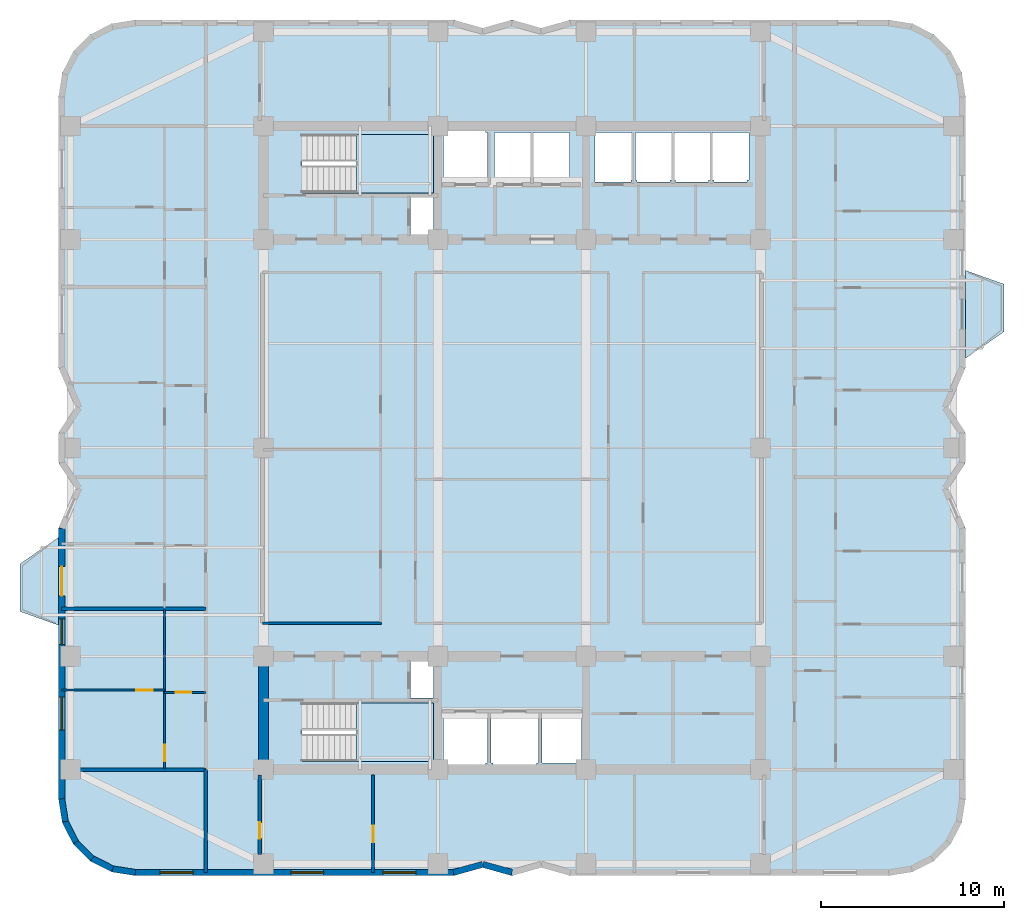
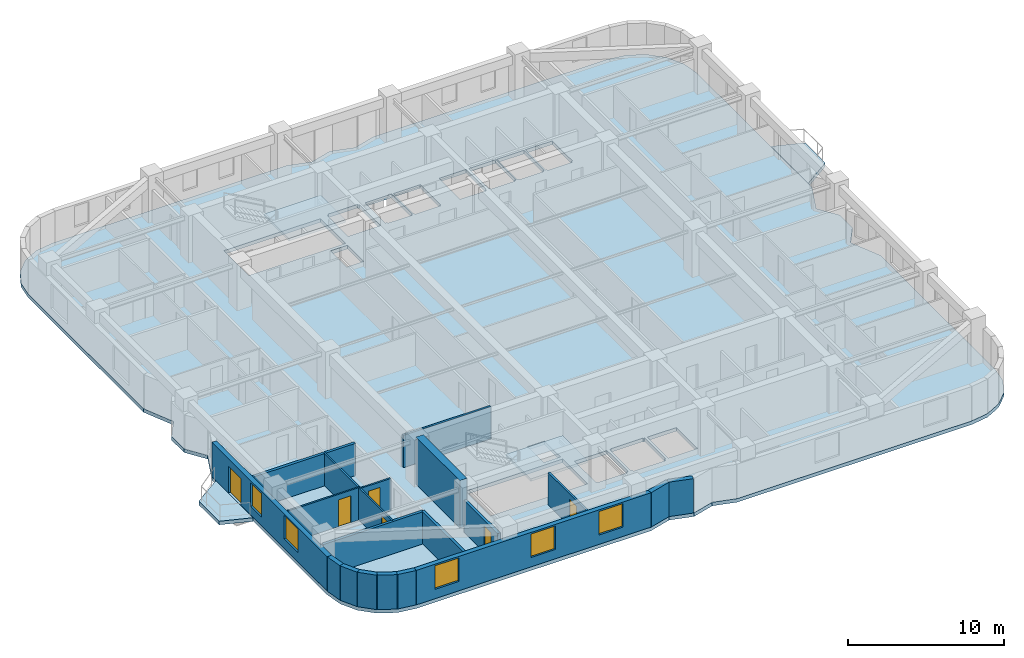
# One storey, part 2 of 9: 19 walls, 6 doors, 5 slabs, 5 windows, 11 openings, 2 elements without a shape of their own.
"""IFC4 building model written with IfcOpenShell, lengths in metres."""

from ifc_helpers import new_model, si_unit, direction, frame, frame_2d, origin, place, context, subcontext, project, spatial, polyline, rectangle, outline, extrude, material, layer, layer_set, type_object, element, fill, aggregate, save


model = new_model("IFC4")

# Units and contexts
model_context = context("Model", 3, precision=1e-05, world=origin(), true_north=direction((0.0, 1.0)))
body_context = subcontext(model_context, "Body", "Model", "MODEL_VIEW")
ifc_project = project(units=[si_unit("LENGTHUNIT", "METRE"), si_unit("AREAUNIT", "SQUARE_METRE"), si_unit("VOLUMEUNIT", "CUBIC_METRE"), si_unit("PLANEANGLEUNIT", "RADIAN"), si_unit("MASSUNIT", "GRAM", prefix="KILO")], contexts=[model_context])

# Site, building, storey
site_placement = place(None, origin())
site = spatial("IfcSite", under=ifc_project, at=site_placement, CompositionType="ELEMENT")
building_placement = place(site_placement, origin())
building = spatial("IfcBuilding", under=site, at=building_placement, Name="Svetorya Sky Lyceum", CompositionType="ELEMENT")
storey_placement = place(building_placement, frame((0.0, 0.0, 103.10009765625)))
storey = spatial("IfcBuildingStorey", under=building, at=storey_placement, Name="L25", CompositionType="ELEMENT", Elevation=103.10009765625)

# Slabs
ifc_material_1 = material(Name="Concrete C40/50", Category="concrete")
ifc_layer_1 = layer(ifc_material_1, 0.280029296875)
ifc_layer_set_1 = layer_set([ifc_layer_1], Name="Concrete C40/50")
slab_type_1 = type_object("IfcSlabType", Name="SL-BAL-280", PredefinedType="FLOOR", material=ifc_layer_set_1)
slab_1_placement = place(storey_placement, frame((0.0, 0.0, -0.280029296875)))
element("IfcSlab", 1, at=slab_1_placement, inside=storey, type_object=slab_type_1, Name="L25 Chamfered Loggia Balcony BAL-W1", PredefinedType="FLOOR", context=body_context, shape_type="SweptSolid", body=[
    extrude(outline(polyline([(14.389892578125, 18.5), (14.389892578125, 23.300048828125), (12.2900390625, 21.85009765625), (12.2900390625, 19.25), (14.389892578125, 18.5)])), origin(), (0.0, 0.0, 1.0), 0.280029296875),
])
slab_2_placement = place(storey_placement, frame((0.0, 0.0, -0.280029296875)))
element("IfcSlab", 2, at=slab_2_placement, inside=storey, type_object=slab_type_1, Name="L25 Chamfered Loggia Balcony BAL-E1", PredefinedType="FLOOR", context=body_context, shape_type="SweptSolid", body=[
    extrude(outline(polyline([(64.010009765625, 33.10009765625), (66.110107421875, 34.550048828125), (66.110107421875, 37.14990234375), (64.010009765625, 37.89990234375), (64.010009765625, 33.10009765625)])), origin(), (0.0, 0.0, 1.0), 0.280029296875),
])

# Stair, slab
stair_type_1 = type_object("IfcStairType", Name="STR-ST-S", PredefinedType="HALF_TURN_STAIR", material=ifc_material_1)
stair_1_placement = place(storey_placement, origin())
stair_1 = element("IfcStair", 3, at=stair_1_placement, inside=storey, type_object=stair_type_1, Name="L25 South Core Smoke-Free Exit Stair N2", PredefinedType="HALF_TURN_STAIR")
ifc_layer_2 = layer(ifc_material_1, 0.199951171875)
ifc_layer_set_2 = layer_set([ifc_layer_2], Name="Concrete C40/50")
slab_type_2 = type_object("IfcSlabType", Name="SL-STR-LAND-200", PredefinedType="LANDING", material=ifc_layer_set_2)
slab_3_placement = place(storey_placement, frame((0.0, 0.0, 1.64990234375)))
slab_3 = element("IfcSlab", 4, at=slab_3_placement, type_object=slab_type_2, Name="ST-S landing 1", PredefinedType="LANDING", context=body_context, shape_type="SweptSolid", body=[
    extrude(outline(polyline([(30.699951171875, 11.050048828125), (34.89990234375, 11.050048828125), (34.89990234375, 14.25), (30.699951171875, 14.25), (30.699951171875, 11.050048828125)])), origin(), (0.0, 0.0, 1.0), 0.199951171875),
])
aggregate(stair_1, [slab_3])

stair_type_2 = type_object("IfcStairType", Name="STR-ST-N", PredefinedType="HALF_TURN_STAIR", material=ifc_material_1)
stair_2_placement = place(storey_placement, origin())
stair_2 = element("IfcStair", 5, at=stair_2_placement, inside=storey, type_object=stair_type_2, Name="L25 North Core Smoke-Free Exit Stair N3", PredefinedType="HALF_TURN_STAIR")
slab_4_placement = place(storey_placement, frame((0.0, 0.0, 1.64990234375)))
slab_4 = element("IfcSlab", 6, at=slab_4_placement, type_object=slab_type_2, Name="ST-N landing 1", PredefinedType="LANDING", context=body_context, shape_type="SweptSolid", body=[
    extrude(outline(polyline([(30.699951171875, 42.14990234375), (34.89990234375, 42.14990234375), (34.89990234375, 45.35009765625), (30.699951171875, 45.35009765625), (30.699951171875, 42.14990234375)])), origin(), (0.0, 0.0, 1.0), 0.199951171875),
])
aggregate(stair_2, [slab_4])

# Slab
ifc_material_2 = material(Name="Concrete C50/60", Category="concrete")
ifc_layer_3 = layer(ifc_material_2, 0.280029296875)
ifc_layer_set_3 = layer_set([ifc_layer_3], Name="Concrete C50/60")
slab_type_3 = type_object("IfcSlabType", Name="SL-TWR-280", PredefinedType="FLOOR", material=ifc_layer_set_3)
slab_5_placement = place(storey_placement, frame((0.0, 0.0, -0.280029296875)))
element("IfcSlab", 7, at=slab_5_placement, inside=storey, type_object=slab_type_3, Name="L25 Structural Floor Slab", PredefinedType="FLOOR", context=body_context, shape_type="SweptSolid", body=[
    extrude(outline(polyline([(14.39990234375, 9.0), (14.605712890625, 7.7021484375), (15.2021484375, 6.53125), (16.13134765625, 5.60205078125), (17.302001953125, 5.005615234375), (18.60009765625, 4.800048828125), (36.0, 4.800048828125), (37.60009765625, 5.25), (39.199951171875, 4.800048828125), (40.800048828125, 5.25), (42.39990234375, 4.800048828125), (59.800048828125, 4.800048828125), (61.097900390625, 5.005615234375), (62.268798828125, 5.60205078125), (63.197998046875, 6.53125), (63.79443359375, 7.7021484375), (64.0, 9.0), (64.0, 23.800048828125), (63.050048828125, 26.0), (64.0, 27.39990234375), (64.0, 29.0), (63.050048828125, 30.39990234375), (64.0, 32.60009765625), (64.0, 47.39990234375), (63.79443359375, 48.697998046875), (63.197998046875, 49.86865234375), (62.268798828125, 50.7978515625), (61.097900390625, 51.394287109375), (59.800048828125, 51.60009765625), (42.39990234375, 51.60009765625), (40.800048828125, 51.14990234375), (39.199951171875, 51.60009765625), (37.60009765625, 51.14990234375), (36.0, 51.60009765625), (18.60009765625, 51.60009765625), (17.302001953125, 51.394287109375), (16.13134765625, 50.7978515625), (15.2021484375, 49.86865234375), (14.605712890625, 48.697998046875), (14.39990234375, 47.39990234375), (14.39990234375, 32.60009765625), (15.35009765625, 30.39990234375), (14.39990234375, 29.0), (14.39990234375, 27.39990234375), (15.35009765625, 26.0), (14.39990234375, 23.800048828125), (14.39990234375, 9.0)]), holes=[polyline([(37.85009765625, 10.949951171875), (37.75, 10.949951171875), (37.75, 10.85009765625), (35.550048828125, 10.85009765625), (35.550048828125, 10.949951171875), (35.449951171875, 10.949951171875), (35.449951171875, 13.64990234375), (35.550048828125, 13.64990234375), (37.75, 13.64990234375), (37.85009765625, 13.64990234375), (37.85009765625, 10.949951171875)]), polyline([(40.64990234375, 13.64990234375), (40.64990234375, 10.949951171875), (40.550048828125, 10.949951171875), (40.550048828125, 10.800048828125), (38.14990234375, 10.800048828125), (38.14990234375, 10.949951171875), (38.050048828125, 10.949951171875), (38.050048828125, 13.64990234375), (38.14990234375, 13.64990234375), (38.14990234375, 13.699951171875), (40.550048828125, 13.699951171875), (40.550048828125, 13.64990234375), (40.64990234375, 13.64990234375)]), polyline([(27.719970703125, 14.25), (34.89990234375, 14.25), (34.89990234375, 11.050048828125), (27.719970703125, 11.050048828125), (27.719970703125, 14.25)]), polyline([(33.64990234375, 14.52001953125), (33.64990234375, 16.580078125), (34.89990234375, 16.580078125), (34.89990234375, 14.52001953125), (33.64990234375, 14.52001953125)]), polyline([(33.64990234375, 41.89990234375), (34.89990234375, 41.89990234375), (34.89990234375, 39.820068359375), (33.64990234375, 39.820068359375), (33.64990234375, 41.89990234375)]), polyline([(27.719970703125, 45.35009765625), (34.89990234375, 45.35009765625), (34.89990234375, 42.14990234375), (27.719970703125, 42.14990234375), (27.719970703125, 45.35009765625)]), polyline([(37.75, 45.550048828125), (37.75, 45.449951171875), (37.85009765625, 45.449951171875), (37.85009765625, 42.75), (37.75, 42.75), (35.550048828125, 42.75), (35.449951171875, 42.75), (35.449951171875, 45.449951171875), (35.550048828125, 45.449951171875), (35.550048828125, 45.550048828125), (37.75, 45.550048828125)]), polyline([(38.39990234375, 42.85009765625), (38.25, 42.85009765625), (38.25, 45.449951171875), (38.39990234375, 45.449951171875), (40.199951171875, 45.449951171875), (40.25, 45.449951171875), (40.25, 42.85009765625), (40.199951171875, 42.85009765625), (40.199951171875, 42.75), (38.39990234375, 42.75), (38.39990234375, 42.85009765625)]), polyline([(40.85009765625, 13.64990234375), (43.0, 13.64990234375), (43.0, 10.949951171875), (40.85009765625, 10.949951171875), (40.85009765625, 13.64990234375)]), polyline([(40.39990234375, 42.85009765625), (40.35009765625, 42.85009765625), (40.35009765625, 45.449951171875), (40.39990234375, 45.449951171875), (42.300048828125, 45.449951171875), (42.35009765625, 45.449951171875), (42.35009765625, 42.85009765625), (42.300048828125, 42.85009765625), (42.300048828125, 42.75), (40.39990234375, 42.75), (40.39990234375, 42.85009765625)]), polyline([(43.75, 42.75), (43.75, 42.85009765625), (43.75, 45.449951171875), (45.699951171875, 45.449951171875), (45.75, 45.449951171875), (45.75, 42.85009765625), (45.699951171875, 42.85009765625), (45.699951171875, 42.75), (43.75, 42.75)]), polyline([(46.050048828125, 42.85009765625), (45.949951171875, 42.85009765625), (45.949951171875, 45.449951171875), (46.050048828125, 45.449951171875), (47.85009765625, 45.449951171875), (47.949951171875, 45.449951171875), (47.949951171875, 42.85009765625), (47.85009765625, 42.85009765625), (47.85009765625, 42.75), (46.050048828125, 42.75), (46.050048828125, 42.85009765625)]), polyline([(48.14990234375, 42.85009765625), (48.050048828125, 42.85009765625), (48.050048828125, 45.449951171875), (48.14990234375, 45.449951171875), (49.949951171875, 45.449951171875), (50.050048828125, 45.449951171875), (50.050048828125, 42.85009765625), (49.949951171875, 42.85009765625), (49.949951171875, 42.75), (48.14990234375, 42.75), (48.14990234375, 42.85009765625)]), polyline([(52.14990234375, 42.85009765625), (52.050048828125, 42.85009765625), (52.050048828125, 42.75), (50.25, 42.75), (50.25, 42.85009765625), (50.14990234375, 42.85009765625), (50.14990234375, 45.449951171875), (50.25, 45.449951171875), (52.050048828125, 45.449951171875), (52.14990234375, 45.449951171875), (52.14990234375, 42.85009765625)])]), origin(), (0.0, 0.0, 1.0), 0.280029296875),
])

# Walls
ifc_material_3 = material(Name="Concrete C60/75", Category="concrete")
ifc_layer_4 = layer(ifc_material_3, 0.550048828125)
ifc_layer_set_4 = layer_set([ifc_layer_4], Name="Concrete C60/75")
wall_type_1 = type_object("IfcWallType", Name="WL-CORE-550", PredefinedType="SHEAR", material=ifc_layer_set_4)
wall_1_placement = place(storey_placement, frame((25.60009765625, 10.875, 0.0), z_axis=(0.0, 0.0, 1.0), x_axis=(0.0, 1.0, 0.0)))
element("IfcWall", 8, at=wall_1_placement, inside=storey, type_object=wall_type_1, Name="L25 SC West Core Shear Wall", PredefinedType="SHEAR", context=body_context, shape_type="SweptSolid", body=[
    extrude(rectangle(XDim=5.64990234375, YDim=0.550048828125, at=frame_2d((2.824951171875, 0.0))), origin(), (0.0, 0.0, 1.0), 3.699951171875),
])
ifc_material_4 = material(Name="Putilovo limestone rainscreen on autoclaved cellular masonry", Category="masonry")
ifc_layer_5 = layer(ifc_material_4, 0.340087890625)
ifc_layer_set_5 = layer_set([ifc_layer_5], Name="Putilovo limestone rainscreen on autoclaved cellular masonry")
wall_type_2 = type_object("IfcWallType", Name="WL-EXT-340", PredefinedType="SOLIDWALL", material=ifc_layer_set_5)
wall_2_placement = place(storey_placement, frame((14.570068359375, 9.0, 0.0), z_axis=(0.0, 0.0, 1.0), x_axis=(0.156260864002, -0.98771582066, 0.0)))
element("IfcWall", 9, at=wall_2_placement, inside=storey, type_object=wall_type_2, Name="L25 Limestone Exterior Wall 1M", PredefinedType="SOLIDWALL", context=body_context, shape_type="SweptSolid", body=[
    extrude(rectangle(XDim=1.2607421875, YDim=0.340087890625, at=frame_2d((0.63037109375, 0.0))), origin(), (0.0, 0.0, 1.0), 2.699951171875),
])
wall_3_placement = place(storey_placement, frame((14.76708984375, 7.754638671875, 0.0), z_axis=(0.0, 0.0, 1.0), x_axis=(0.454015689056, -0.890993689142, 0.0)))
element("IfcWall", 10, at=wall_3_placement, inside=storey, type_object=wall_type_2, Name="L25 Limestone Exterior Wall 2M", PredefinedType="SOLIDWALL", context=body_context, shape_type="SweptSolid", body=[
    extrude(rectangle(XDim=1.260986328125, YDim=0.340087890625, at=frame_2d((0.63037109375, 0.0))), origin(), (0.0, 0.0, 1.0), 2.699951171875),
])
wall_4_placement = place(storey_placement, frame((15.339599609375, 6.631103515625, 0.0), z_axis=(0.0, 0.0, 1.0), x_axis=(0.707203598708, -0.707009950407, 0.0)))
element("IfcWall", 11, at=wall_4_placement, inside=storey, type_object=wall_type_2, Name="L25 Limestone Exterior Wall 3M", PredefinedType="SOLIDWALL", context=body_context, shape_type="SweptSolid", body=[
    extrude(rectangle(XDim=1.2607421875, YDim=0.340087890625, at=frame_2d((0.63037109375, 0.0))), origin(), (0.0, 0.0, 1.0), 2.699951171875),
])
for number, where, z_axis, x_axis, name in (
    (12, (16.231201171875, 5.73974609375, 0.0), (0.0, 0.0, 1.0), (0.890993689142, -0.454015689056, 0.0), "L25 Limestone Exterior Wall 4M"),
    (13, (17.354736328125, 5.167236328125, 0.0), (0.0, 0.0, 1.0), (0.987685918112, -0.15644975923, 0.0), "L25 Limestone Exterior Wall 5M"),
):
    element("IfcWall", number, at=place(storey_placement, frame(where, z_axis=z_axis, x_axis=x_axis)), inside=storey, type_object=wall_type_2, Name=name, PredefinedType="SOLIDWALL", context=body_context, shape_type="SweptSolid", body=[
        extrude(rectangle(XDim=1.260986328125, YDim=0.340087890625, at=frame_2d((0.63037109375, 0.0))), origin(), (0.0, 0.0, 1.0), 2.699951171875),
    ])

# Wall, openings, windows
wall_5_placement = place(storey_placement, frame((18.60009765625, 4.969970703125, 0.0), z_axis=(0.0, 0.0, 1.0), x_axis=(1.0, 0.0, 0.0)))
wall_5 = element("IfcWall", 14, at=wall_5_placement, inside=storey, type_object=wall_type_2, Name="L25 Limestone Exterior Wall 6M", PredefinedType="SOLIDWALL", context=body_context, shape_type="SweptSolid", body=[
    extrude(rectangle(XDim=17.39990234375, YDim=0.340087890625, at=frame_2d((8.699951171875, 0.0))), origin(), (0.0, 0.0, 1.0), 2.699951171875),
])
opening_1_placement = place(wall_5_placement, frame((1.360107421875, 0.0, 0.72998046875)))
opening_1 = element("IfcOpeningElement", 15, at=opening_1_placement, cuts=wall_5, Name="Opening W-R1", PredefinedType="OPENING", context=body_context, shape_type="SweptSolid", body=[
    extrude(rectangle(XDim=1.800048828125, YDim=1.85009765625, at=frame_2d((0.89990234375, 0.925048828125))), frame((0.0, 0.179931640625, 0.0), z_axis=(0.0, -1.0, 0.0), x_axis=(1.0, 0.0, 0.0)), (0.0, 0.0, 1.0), 0.360107421875),
])
opening_2_placement = place(wall_5_placement, frame((8.5, 0.0, 0.72998046875)))
opening_2 = element("IfcOpeningElement", 16, at=opening_2_placement, cuts=wall_5, Name="Opening W-R1", PredefinedType="OPENING", context=body_context, shape_type="SweptSolid", body=[
    extrude(rectangle(XDim=1.800048828125, YDim=1.85009765625, at=frame_2d((0.89990234375, 0.925048828125))), frame((0.0, 0.179931640625, 0.0), z_axis=(0.0, -1.0, 0.0), x_axis=(1.0, 0.0, 0.0)), (0.0, 0.0, 1.0), 0.360107421875),
])
opening_3_placement = place(wall_5_placement, frame((13.5400390625, 0.0, 0.72998046875)))
opening_3 = element("IfcOpeningElement", 17, at=opening_3_placement, cuts=wall_5, Name="Opening W-R1", PredefinedType="OPENING", context=body_context, shape_type="SweptSolid", body=[
    extrude(rectangle(XDim=1.800048828125, YDim=1.85009765625, at=frame_2d((0.89990234375, 0.925048828125))), frame((0.0, 0.179931640625, 0.0), z_axis=(0.0, -1.0, 0.0), x_axis=(1.0, 0.0, 0.0)), (0.0, 0.0, 1.0), 0.360107421875),
])
ifc_material_5 = material(Name="Thermally broken aluminium frame with triple low-E glazing", Category="aluminium")
window_type_1 = type_object("IfcWindowType", Name="WN-RES-180", PartitioningType="DOUBLE_PANEL_VERTICAL", PredefinedType="WINDOW", material=ifc_material_5)
window_1_placement = place(opening_1_placement, origin())
window_1 = element("IfcWindow", 18, at=window_1_placement, inside=storey, type_object=window_type_1, Name="L25 Facade Window W-R1.6M.1", OverallHeight=1.85009765625, OverallWidth=1.800048828125, PartitioningType="SINGLE_PANEL", PredefinedType="WINDOW", context=body_context, shape_type="SweptSolid", body=[
    extrude(rectangle(XDim=1.800048828125, YDim=1.85009765625, at=frame_2d((0.89990234375, 0.925048828125))), frame((0.0, 0.030029296875, 0.0), z_axis=(0.0, -1.0, 0.0), x_axis=(1.0, 0.0, 0.0)), (0.0, 0.0, 1.0), 0.06005859375),
])
fill(opening_1, window_1)
window_2_placement = place(opening_2_placement, origin())
window_2 = element("IfcWindow", 19, at=window_2_placement, inside=storey, type_object=window_type_1, Name="L25 Facade Window W-R1.6M.2", OverallHeight=1.85009765625, OverallWidth=1.800048828125, PartitioningType="SINGLE_PANEL", PredefinedType="WINDOW", context=body_context, shape_type="SweptSolid", body=[
    extrude(rectangle(XDim=1.800048828125, YDim=1.85009765625, at=frame_2d((0.89990234375, 0.925048828125))), frame((0.0, 0.030029296875, 0.0), z_axis=(0.0, -1.0, 0.0), x_axis=(1.0, 0.0, 0.0)), (0.0, 0.0, 1.0), 0.06005859375),
])
fill(opening_2, window_2)
window_3_placement = place(opening_3_placement, origin())
window_3 = element("IfcWindow", 20, at=window_3_placement, inside=storey, type_object=window_type_1, Name="L25 Facade Window W-R1.6M.3", OverallHeight=1.85009765625, OverallWidth=1.800048828125, PartitioningType="SINGLE_PANEL", PredefinedType="WINDOW", context=body_context, shape_type="SweptSolid", body=[
    extrude(rectangle(XDim=1.800048828125, YDim=1.85009765625, at=frame_2d((0.89990234375, 0.925048828125))), frame((0.0, 0.030029296875, 0.0), z_axis=(0.0, -1.0, 0.0), x_axis=(1.0, 0.0, 0.0)), (0.0, 0.0, 1.0), 0.06005859375),
])
fill(opening_3, window_3)

# Walls
wall_6_placement = place(storey_placement, frame((36.0, 4.969970703125, 0.0), z_axis=(0.0, 0.0, 1.0), x_axis=(0.962662902433, 0.270703040766, 0.0)))
element("IfcWall", 21, at=wall_6_placement, inside=storey, type_object=wall_type_2, Name="L25 Limestone Exterior Wall 7M", PredefinedType="SOLIDWALL", context=body_context, shape_type="SweptSolid", body=[
    extrude(rectangle(XDim=1.662109375, YDim=0.340087890625, at=frame_2d((0.8310546875, 0.0))), origin(), (0.0, 0.0, 1.0), 2.699951171875),
])
wall_7_placement = place(storey_placement, frame((37.60009765625, 5.419921875, 0.0), z_axis=(0.0, 0.0, 1.0), x_axis=(0.962652136636, -0.270741322725, 0.0)))
element("IfcWall", 22, at=wall_7_placement, inside=storey, type_object=wall_type_2, Name="L25 Limestone Exterior Wall 8M", PredefinedType="SOLIDWALL", context=body_context, shape_type="SweptSolid", body=[
    extrude(rectangle(XDim=1.661865234375, YDim=0.340087890625, at=frame_2d((0.8310546875, 0.0))), origin(), (0.0, 0.0, 1.0), 2.699951171875),
])

# Wall, openings, door, windows
wall_8_placement = place(storey_placement, frame((14.570068359375, 23.800048828125, 0.0), z_axis=(0.0, 0.0, 1.0), x_axis=(0.0, -1.0, 0.0)))
wall_8 = element("IfcWall", 23, at=wall_8_placement, inside=storey, type_object=wall_type_2, Name="L25 Limestone Exterior Wall 46M", PredefinedType="SOLIDWALL", context=body_context, shape_type="SweptSolid", body=[
    extrude(rectangle(XDim=14.800048828125, YDim=0.340087890625, at=frame_2d((7.39990234375, 0.0))), origin(), (0.0, 0.0, 1.0), 2.699951171875),
])
opening_4_placement = place(wall_8_placement, frame((2.10009765625, 0.0, 0.0)))
opening_4 = element("IfcOpeningElement", 24, at=opening_4_placement, cuts=wall_8, Name="Opening D-BL1", PredefinedType="OPENING", context=body_context, shape_type="SweptSolid", body=[
    extrude(rectangle(XDim=1.60009765625, YDim=2.10009765625, at=frame_2d((0.800048828125, 1.050048828125))), frame((0.0, 0.179931640625, 0.0), z_axis=(0.0, -1.0, 0.0), x_axis=(1.0, 0.0, 0.0)), (0.0, 0.0, 1.0), 0.360107421875),
])
opening_5_placement = place(wall_8_placement, frame((4.9599609375, 0.0, 0.68994140625)))
opening_5 = element("IfcOpeningElement", 25, at=opening_5_placement, cuts=wall_8, Name="Opening W-R2", PredefinedType="OPENING", context=body_context, shape_type="SweptSolid", body=[
    extrude(rectangle(XDim=1.39990234375, YDim=1.85009765625, at=frame_2d((0.699951171875, 0.925048828125))), frame((0.0, 0.179931640625, 0.0), z_axis=(0.0, -1.0, 0.0), x_axis=(1.0, 0.0, 0.0)), (0.0, 0.0, 1.0), 0.360107421875),
])
opening_6_placement = place(wall_8_placement, frame((9.237548828125, 0.0, 0.72998046875)))
opening_6 = element("IfcOpeningElement", 26, at=opening_6_placement, cuts=wall_8, Name="Opening W-R1", PredefinedType="OPENING", context=body_context, shape_type="SweptSolid", body=[
    extrude(rectangle(XDim=1.800048828125, YDim=1.85009765625, at=frame_2d((0.89990234375, 0.925048828125))), frame((0.0, 0.179931640625, 0.0), z_axis=(0.0, -1.0, 0.0), x_axis=(1.0, 0.0, 0.0)), (0.0, 0.0, 1.0), 0.360107421875),
])
ifc_material_6 = material(Name="Insulated glazed aluminium balcony door", Category="aluminium")
door_type_1 = type_object("IfcDoorType", Name="DR-BAL-1600", OperationType="DOUBLE_DOOR_SINGLE_SWING", PredefinedType="DOOR", material=ifc_material_6)
door_1_placement = place(opening_4_placement, origin())
door_1 = element("IfcDoor", 27, at=door_1_placement, inside=storey, type_object=door_type_1, Name="L25 Balcony BAL-W1 Door", OperationType="DOUBLE_DOOR_SINGLE_SWING", OverallHeight=2.10009765625, OverallWidth=1.60009765625, PredefinedType="DOOR", context=body_context, shape_type="SweptSolid", body=[
    extrude(rectangle(XDim=1.60009765625, YDim=2.10009765625, at=frame_2d((0.800048828125, 1.050048828125))), frame((0.0, 0.02490234375, 0.0), z_axis=(0.0, -1.0, 0.0), x_axis=(1.0, 0.0, 0.0)), (0.0, 0.0, 1.0), 0.050048828125),
])
fill(opening_4, door_1)
window_type_2 = type_object("IfcWindowType", Name="WN-RES-140", PartitioningType="SINGLE_PANEL", PredefinedType="WINDOW", material=ifc_material_5)
window_4_placement = place(opening_5_placement, origin())
window_4 = element("IfcWindow", 28, at=window_4_placement, inside=storey, type_object=window_type_2, Name="L25 Facade Window W-R2.46M.2", OverallHeight=1.85009765625, OverallWidth=1.39990234375, PartitioningType="SINGLE_PANEL", PredefinedType="WINDOW", context=body_context, shape_type="SweptSolid", body=[
    extrude(rectangle(XDim=1.39990234375, YDim=1.85009765625, at=frame_2d((0.699951171875, 0.925048828125))), frame((0.0, 0.030029296875, 0.0), z_axis=(0.0, -1.0, 0.0), x_axis=(1.0, 0.0, 0.0)), (0.0, 0.0, 1.0), 0.06005859375),
])
fill(opening_5, window_4)
window_5_placement = place(opening_6_placement, origin())
window_5 = element("IfcWindow", 29, at=window_5_placement, inside=storey, type_object=window_type_1, Name="L25 Facade Window W-R1.46M.1", OverallHeight=1.85009765625, OverallWidth=1.800048828125, PartitioningType="SINGLE_PANEL", PredefinedType="WINDOW", context=body_context, shape_type="SweptSolid", body=[
    extrude(rectangle(XDim=1.800048828125, YDim=1.85009765625, at=frame_2d((0.89990234375, 0.925048828125))), frame((0.0, 0.030029296875, 0.0), z_axis=(0.0, -1.0, 0.0), x_axis=(1.0, 0.0, 0.0)), (0.0, 0.0, 1.0), 0.06005859375),
])
fill(opening_6, window_5)

# Wall, opening, door
ifc_material_7 = material(Name="Twin-stud galvanized framing with double fireboard", Category="gypsum")
ifc_layer_6 = layer(ifc_material_7, 0.1201171875)
ifc_layer_set_6 = layer_set([ifc_layer_6], Name="Twin-stud galvanized framing with double fireboard")
wall_type_3 = type_object("IfcWallType", Name="WL-PART-120", PredefinedType="PARTITIONING", material=ifc_layer_set_6)
wall_9_placement = place(storey_placement, frame((20.199951171875, 14.820068359375, 0.0), z_axis=(0.0, 0.0, 1.0), x_axis=(1.0, 0.0, 0.0)))
wall_9 = element("IfcWall", 30, at=wall_9_placement, inside=storey, type_object=wall_type_3, Name="L25 Interior Partition W1-WH1", PredefinedType="PARTITIONING", context=body_context, shape_type="SweptSolid", body=[
    extrude(rectangle(XDim=2.25, YDim=0.1201171875, at=frame_2d((1.125, 0.0))), origin(), (0.0, 0.0, 1.0), 2.52978515625),
])
opening_7_placement = place(wall_9_placement, frame((0.60009765625, 0.0, 0.0)))
opening_7 = element("IfcOpeningElement", 31, at=opening_7_placement, cuts=wall_9, Name="Opening D-BT1", PredefinedType="OPENING", context=body_context, shape_type="SweptSolid", body=[
    extrude(rectangle(XDim=0.85009765625, YDim=2.10009765625, at=frame_2d((0.425048828125, 1.050048828125))), frame((0.0, 0.070068359375, 0.0), z_axis=(0.0, -1.0, 0.0), x_axis=(1.0, 0.0, 0.0)), (0.0, 0.0, 1.0), 0.14013671875),
])
ifc_material_8 = material(Name="Moisture-resistant laminate bathroom door")
door_type_2 = type_object("IfcDoorType", Name="DR-WET-850", OperationType="SINGLE_SWING_LEFT", PredefinedType="DOOR", material=ifc_material_8)
door_2_placement = place(opening_7_placement, origin())
door_2 = element("IfcDoor", 32, at=door_2_placement, inside=storey, type_object=door_type_2, Name="Apartment W1 Bathroom Door", OperationType="SINGLE_SWING_LEFT", OverallHeight=2.10009765625, OverallWidth=0.85009765625, PredefinedType="DOOR", context=body_context, shape_type="SweptSolid", body=[
    extrude(rectangle(XDim=0.85009765625, YDim=2.10009765625, at=frame_2d((0.425048828125, 1.050048828125))), frame((0.0, 0.02490234375, 0.0), z_axis=(0.0, -1.0, 0.0), x_axis=(1.0, 0.0, 0.0)), (0.0, 0.0, 1.0), 0.050048828125),
])
fill(opening_7, door_2)

wall_10_placement = place(storey_placement, frame((14.570068359375, 14.949951171875, 0.0), z_axis=(0.0, 0.0, 1.0), x_axis=(1.0, 0.0, 0.0)))
wall_10 = element("IfcWall", 33, at=wall_10_placement, inside=storey, type_object=wall_type_3, Name="L25 Interior Partition W1-WL1", PredefinedType="PARTITIONING", context=body_context, shape_type="SweptSolid", body=[
    extrude(rectangle(XDim=5.6298828125, YDim=0.1201171875, at=frame_2d((2.81494140625, 0.0))), origin(), (0.0, 0.0, 1.0), 2.52978515625),
])
opening_8_placement = place(wall_10_placement, frame((4.080078125, 0.0, 0.0)))
opening_8 = element("IfcOpeningElement", 34, at=opening_8_placement, cuts=wall_10, Name="Opening D-RM1", PredefinedType="OPENING", context=body_context, shape_type="SweptSolid", body=[
    extrude(rectangle(XDim=0.89990234375, YDim=2.10009765625, at=frame_2d((0.449951171875, 1.050048828125))), frame((0.0, 0.070068359375, 0.0), z_axis=(0.0, -1.0, 0.0), x_axis=(1.0, 0.0, 0.0)), (0.0, 0.0, 1.0), 0.14013671875),
])
ifc_material_9 = material(Name="Lacquered birch veneer internal door")
door_type_3 = type_object("IfcDoorType", Name="DR-INT-900", OperationType="SINGLE_SWING_LEFT", PredefinedType="DOOR", material=ifc_material_9)
door_3_placement = place(opening_8_placement, origin())
door_3 = element("IfcDoor", 35, at=door_3_placement, inside=storey, type_object=door_type_3, Name="Apartment W1 Bedroom 1 Door", OperationType="SINGLE_SWING_LEFT", OverallHeight=2.10009765625, OverallWidth=0.89990234375, PredefinedType="DOOR", context=body_context, shape_type="SweptSolid", body=[
    extrude(rectangle(XDim=0.89990234375, YDim=2.10009765625, at=frame_2d((0.449951171875, 1.050048828125))), frame((0.0, 0.02490234375, 0.0), z_axis=(0.0, -1.0, 0.0), x_axis=(1.0, 0.0, 0.0)), (0.0, 0.0, 1.0), 0.050048828125),
])
fill(opening_8, door_3)

wall_11_placement = place(storey_placement, frame((20.199951171875, 10.639892578125, 0.0), z_axis=(0.0, 0.0, 1.0), x_axis=(0.0, 1.0, 0.0)))
wall_11 = element("IfcWall", 36, at=wall_11_placement, inside=storey, type_object=wall_type_3, Name="L25 Interior Partition W1-WV", PredefinedType="PARTITIONING", context=body_context, shape_type="SweptSolid", body=[
    extrude(rectangle(XDim=8.72021484375, YDim=0.1201171875, at=frame_2d((4.360107421875, 0.0))), origin(), (0.0, 0.0, 1.0), 2.52978515625),
])
opening_9_placement = place(wall_11_placement, frame((0.409912109375, 0.0, 0.0)))
opening_9 = element("IfcOpeningElement", 37, at=opening_9_placement, cuts=wall_11, Name="Opening D-RM1", PredefinedType="OPENING", context=body_context, shape_type="SweptSolid", body=[
    extrude(rectangle(XDim=0.89990234375, YDim=2.10009765625, at=frame_2d((0.449951171875, 1.050048828125))), frame((0.0, 0.070068359375, 0.0), z_axis=(0.0, -1.0, 0.0), x_axis=(1.0, 0.0, 0.0)), (0.0, 0.0, 1.0), 0.14013671875),
])
door_4_placement = place(opening_9_placement, origin())
door_4 = element("IfcDoor", 38, at=door_4_placement, inside=storey, type_object=door_type_3, Name="Apartment W1 Living Door", OperationType="SINGLE_SWING_RIGHT", OverallHeight=2.10009765625, OverallWidth=0.89990234375, PredefinedType="DOOR", context=body_context, shape_type="SweptSolid", body=[
    extrude(rectangle(XDim=0.89990234375, YDim=2.10009765625, at=frame_2d((0.449951171875, 1.050048828125))), frame((0.0, 0.02490234375, 0.0), z_axis=(0.0, -1.0, 0.0), x_axis=(1.0, 0.0, 0.0)), (0.0, 0.0, 1.0), 0.050048828125),
])
fill(opening_9, door_4)

# Wall
ifc_material_10 = material(Name="Autoclaved cellular masonry blockwork with acoustic render", Category="masonry")
ifc_layer_7 = layer(ifc_material_10, 0.14990234375)
ifc_layer_set_7 = layer_set([ifc_layer_7], Name="Autoclaved cellular masonry blockwork with acoustic render")
wall_type_4 = type_object("IfcWallType", Name="WL-PART-150", PredefinedType="PARTITIONING", material=ifc_layer_set_7)
wall_12_placement = place(storey_placement, frame((25.550048828125, 18.60009765625, 0.0), z_axis=(0.0, 0.0, 1.0), x_axis=(1.0, 0.0, 0.0)))
element("IfcWall", 39, at=wall_12_placement, inside=storey, type_object=wall_type_4, Name="L25 Interior Partition RL-CS-W", PredefinedType="PARTITIONING", context=body_context, shape_type="SweptSolid", body=[
    extrude(rectangle(XDim=6.5, YDim=0.14990234375, at=frame_2d((3.25, 0.0))), origin(), (0.0, 0.0, 1.0), 2.52978515625),
])

# Wall, opening, door
wall_13_placement = place(storey_placement, frame((31.60009765625, 4.969970703125, 0.0), z_axis=(0.0, 0.0, 1.0), x_axis=(0.0, 1.0, 0.0)))
wall_13 = element("IfcWall", 40, at=wall_13_placement, inside=storey, type_object=wall_type_4, Name="L25 Interior Partition S-D1", PredefinedType="PARTITIONING", context=body_context, shape_type="SweptSolid", body=[
    extrude(rectangle(XDim=5.330078125, YDim=0.14990234375, at=frame_2d((2.6650390625, 0.0))), origin(), (0.0, 0.0, 1.0), 2.52978515625),
])
opening_10_placement = place(wall_13_placement, frame((1.64990234375, 0.0, 0.0)))
opening_10 = element("IfcOpeningElement", 41, at=opening_10_placement, cuts=wall_13, Name="Opening D-RM1", PredefinedType="OPENING", context=body_context, shape_type="SweptSolid", body=[
    extrude(rectangle(XDim=0.89990234375, YDim=2.10009765625, at=frame_2d((0.449951171875, 1.050048828125))), frame((0.0, 0.0849609375, 0.0), z_axis=(0.0, -1.0, 0.0), x_axis=(1.0, 0.0, 0.0)), (0.0, 0.0, 1.0), 0.169921875),
])
door_5_placement = place(opening_10_placement, origin())
door_5 = element("IfcDoor", 42, at=door_5_placement, inside=storey, type_object=door_type_3, Name="L25 South Store Door", OperationType="SINGLE_SWING_LEFT", OverallHeight=2.10009765625, OverallWidth=0.89990234375, PredefinedType="DOOR", context=body_context, shape_type="SweptSolid", body=[
    extrude(rectangle(XDim=0.89990234375, YDim=2.10009765625, at=frame_2d((0.449951171875, 1.050048828125))), frame((0.0, 0.02490234375, 0.0), z_axis=(0.0, -1.0, 0.0), x_axis=(1.0, 0.0, 0.0)), (0.0, 0.0, 1.0), 0.050048828125),
])
fill(opening_10, door_5)

# Walls
ifc_material_11 = material(Name="Autoclaved cellular masonry blockwork with gypsum plaster", Category="masonry")
ifc_layer_8 = layer(ifc_material_11, 0.199951171875)
ifc_layer_set_8 = layer_set([ifc_layer_8], Name="Autoclaved cellular masonry blockwork with gypsum plaster")
wall_type_5 = type_object("IfcWallType", Name="WL-PART-200", PredefinedType="PARTITIONING", material=ifc_layer_set_8)
wall_14_placement = place(storey_placement, frame((14.570068359375, 19.39990234375, 0.0), z_axis=(0.0, 0.0, 1.0), x_axis=(1.0, 0.0, 0.0)))
element("IfcWall", 43, at=wall_14_placement, inside=storey, type_object=wall_type_5, Name="L25 Interior Partition W-PARTY-1", PredefinedType="PARTITIONING", context=body_context, shape_type="SweptSolid", body=[
    extrude(rectangle(XDim=7.8798828125, YDim=0.199951171875, at=frame_2d((3.93994140625, 0.0))), origin(), (0.0, 0.0, 1.0), 2.52978515625),
])
wall_15_placement = place(storey_placement, frame((14.989990234375, 10.60009765625, 0.0), z_axis=(0.0, 0.0, 1.0), x_axis=(1.0, 0.0, 0.0)))
element("IfcWall", 44, at=wall_15_placement, inside=storey, type_object=wall_type_5, Name="L25 Interior Partition W-CAP-S", PredefinedType="PARTITIONING", context=body_context, shape_type="SweptSolid", body=[
    extrude(rectangle(XDim=7.4599609375, YDim=0.199951171875, at=frame_2d((3.72998046875, 0.0))), origin(), (0.0, 0.0, 1.0), 2.52978515625),
])
wall_16_placement = place(storey_placement, frame((22.449951171875, 4.969970703125, 0.0), z_axis=(0.0, 0.0, 1.0), x_axis=(0.0, 1.0, 0.0)))
element("IfcWall", 45, at=wall_16_placement, inside=storey, type_object=wall_type_5, Name="L25 Interior Partition WC-SW-END", PredefinedType="PARTITIONING", context=body_context, shape_type="SweptSolid", body=[
    extrude(rectangle(XDim=5.630126953125, YDim=0.199951171875, at=frame_2d((2.81494140625, 0.0))), origin(), (0.0, 0.0, 1.0), 2.52978515625),
])

# Wall, opening, door
wall_17_placement = place(storey_placement, frame((25.39990234375, 5.969970703125, 0.0), z_axis=(0.0, 0.0, 1.0), x_axis=(0.0, 1.0, 0.0)))
wall_17 = element("IfcWall", 46, at=wall_17_placement, inside=storey, type_object=wall_type_5, Name="L25 Interior Partition S-EW", PredefinedType="PARTITIONING", context=body_context, shape_type="SweptSolid", body=[
    extrude(rectangle(XDim=4.330078125, YDim=0.199951171875, at=frame_2d((2.1650390625, 0.0))), origin(), (0.0, 0.0, 1.0), 2.52978515625),
])
opening_11_placement = place(wall_17_placement, frame((0.85009765625, 0.0, 0.0)))
opening_11 = element("IfcOpeningElement", 47, at=opening_11_placement, cuts=wall_17, Name="Opening D-RM1", PredefinedType="OPENING", context=body_context, shape_type="SweptSolid", body=[
    extrude(rectangle(XDim=0.89990234375, YDim=2.10009765625, at=frame_2d((0.449951171875, 1.050048828125))), frame((0.0, 0.10986328125, 0.0), z_axis=(0.0, -1.0, 0.0), x_axis=(1.0, 0.0, 0.0)), (0.0, 0.0, 1.0), 0.219970703125),
])
door_6_placement = place(opening_11_placement, origin())
door_6 = element("IfcDoor", 48, at=door_6_placement, inside=storey, type_object=door_type_3, Name="L25 South Study Door", OperationType="SINGLE_SWING_LEFT", OverallHeight=2.10009765625, OverallWidth=0.89990234375, PredefinedType="DOOR", context=body_context, shape_type="SweptSolid", body=[
    extrude(rectangle(XDim=0.89990234375, YDim=2.10009765625, at=frame_2d((0.449951171875, 1.050048828125))), frame((0.0, 0.02490234375, 0.0), z_axis=(0.0, -1.0, 0.0), x_axis=(1.0, 0.0, 0.0)), (0.0, 0.0, 1.0), 0.050048828125),
])
fill(opening_11, door_6)

save(model, "model.ifc")
